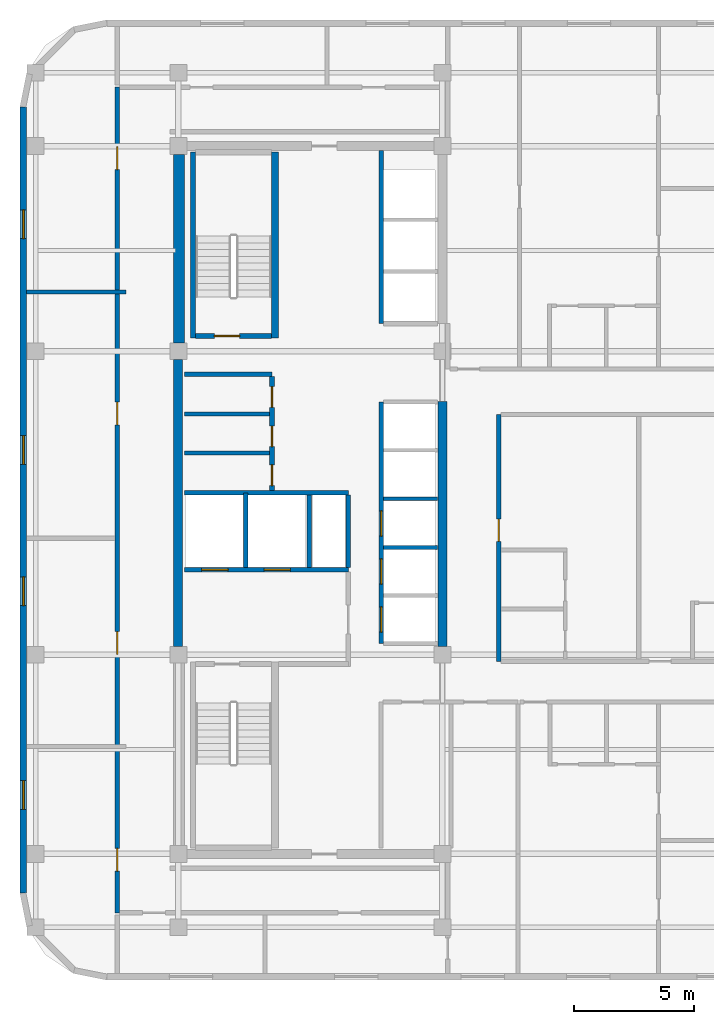
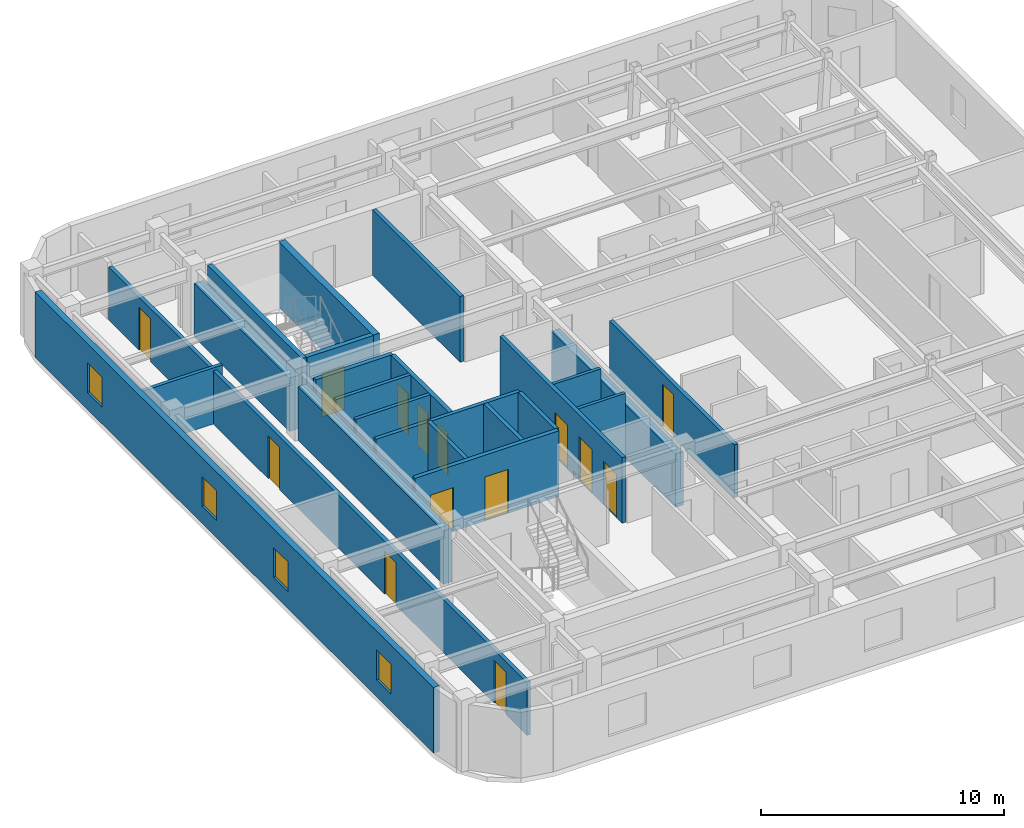
# One storey, part 4 of 8: 23 walls, 14 doors, 4 windows, 18 openings.
"""IFC4 building model written with IfcOpenShell, lengths in metres."""

from ifc_helpers import new_model, si_unit, direction, frame, frame_2d, origin, place, context, subcontext, project, spatial, rectangle, extrude, material, layer, layer_set, type_object, element, fill, save


model = new_model("IFC4")

# Units and contexts
model_context = context("Model", 3, precision=1e-05, world=origin(), true_north=direction((0.0, 1.0)))
body_context = subcontext(model_context, "Body", "Model", "MODEL_VIEW")
ifc_project = project(units=[si_unit("LENGTHUNIT", "METRE"), si_unit("AREAUNIT", "SQUARE_METRE"), si_unit("VOLUMEUNIT", "CUBIC_METRE"), si_unit("PLANEANGLEUNIT", "RADIAN"), si_unit("MASSUNIT", "GRAM", prefix="KILO")], contexts=[model_context])

# Site, building, storey
site_placement = place(None, origin())
site = spatial("IfcSite", under=ifc_project, at=site_placement, CompositionType="ELEMENT")
building_placement = place(site_placement, origin())
building = spatial("IfcBuilding", under=site, at=building_placement, Name="Ochreholt Gables", CompositionType="ELEMENT")
storey_placement = place(building_placement, frame((0.0, 0.0, 196.199951171875)))
storey = spatial("IfcBuildingStorey", under=building, at=storey_placement, Name="L51", CompositionType="ELEMENT", Elevation=196.199951171875)

# Walls
ifc_material_1 = material(Name="Concrete 50 MPa", Category="concrete")
ifc_layer_1 = layer(ifc_material_1, 0.3798828125, Name="Concrete 50 MPa")
ifc_layer_set_1 = layer_set([ifc_layer_1], Name="Concrete 50 MPa")
wall_type_1 = type_object("IfcWallType", Name="WALL-CSW-380", PredefinedType="SHEAR", material=ifc_layer_set_1)
wall_1_placement = place(storey_placement, frame((24.18994140625, 17.89990234375, 0.0), z_axis=(0.0, 0.0, 1.0), x_axis=(0.0, 1.0, 0.0)))
element("IfcWall", 1, at=wall_1_placement, inside=storey, type_object=wall_type_1, Name="L51 Core West Shear Wall WM", PredefinedType="SHEAR", context=body_context, shape_type="SweptSolid", body=[
    extrude(rectangle(XDim=11.9501953125, YDim=0.3798828125, at=frame_2d((5.97509765625, 0.0))), origin(), (0.0, 0.0, 1.0), 2.68798828125),
])
wall_2_placement = place(storey_placement, frame((35.2099609375, 17.89990234375, 0.0), z_axis=(0.0, 0.0, 1.0), x_axis=(0.0, 1.0, 0.0)))
element("IfcWall", 2, at=wall_2_placement, inside=storey, type_object=wall_type_1, Name="L51 Core Central-East Shear Wall", PredefinedType="SHEAR", context=body_context, shape_type="SweptSolid", body=[
    extrude(rectangle(XDim=10.2001953125, YDim=0.3798828125, at=frame_2d((5.10009765625, 0.0))), origin(), (0.0, 0.0, 1.0), 2.68798828125),
])
ifc_material_2 = material(Name="Concrete 60 MPa", Category="concrete")
ifc_layer_2 = layer(ifc_material_2, 0.449951171875, Name="Concrete 60 MPa")
ifc_layer_set_2 = layer_set([ifc_layer_2], Name="Concrete 60 MPa")
wall_type_2 = type_object("IfcWallType", Name="WALL-CSW-450", PredefinedType="SHEAR", material=ifc_layer_set_2)
wall_3_placement = place(storey_placement, frame((24.22509765625, 30.550048828125, 0.0), z_axis=(0.0, 0.0, 1.0), x_axis=(0.0, 1.0, 0.0)))
element("IfcWall", 3, at=wall_3_placement, inside=storey, type_object=wall_type_2, Name="L51 Core West Shear Wall WN", PredefinedType="SHEAR", context=body_context, shape_type="SweptSolid", body=[
    extrude(rectangle(XDim=7.849853515625, YDim=0.449951171875, at=frame_2d((3.9248046875, 0.0))), origin(), (0.0, 0.0, 1.0), 2.68798828125),
])

# Wall, openings, windows
ifc_material_3 = material(Name="Precast concrete 40 MPa", Category="concrete")
ifc_layer_3 = layer(ifc_material_3, 0.280029296875, Name="Precast concrete 40 MPa")
ifc_layer_set_3 = layer_set([ifc_layer_3], Name="Precast concrete 40 MPa")
wall_type_3 = type_object("IfcWallType", Name="WALL-EXT-280", PredefinedType="SOLIDWALL", material=ifc_layer_set_3)
wall_4_placement = place(storey_placement, frame((17.739990234375, 40.3798828125, 0.0), z_axis=(0.0, 0.0, 1.0), x_axis=(0.0, -1.0, 0.0)))
wall_4 = element("IfcWall", 4, at=wall_4_placement, inside=storey, type_object=wall_type_3, Name="L51 West Exterior Wall", PredefinedType="SOLIDWALL", context=body_context, shape_type="SweptSolid", body=[
    extrude(rectangle(XDim=32.759765625, YDim=0.280029296875, at=frame_2d((16.3798828125, 0.0))), origin(), (0.0, 0.0, 1.0), 3.300048828125),
])
opening_1_placement = place(wall_4_placement, frame((28.072509765625, 0.0, 0.85009765625)))
opening_1 = element("IfcOpeningElement", 5, at=opening_1_placement, cuts=wall_4, Name="Opening WN-3", PredefinedType="OPENING", context=body_context, shape_type="SweptSolid", body=[
    extrude(rectangle(XDim=1.199951171875, YDim=1.5, at=frame_2d((0.60009765625, 0.75))), frame((0.0, 0.14990234375, 0.0), z_axis=(0.0, -1.0, 0.0), x_axis=(1.0, 0.0, 0.0)), (0.0, 0.0, 1.0), 0.300048828125),
])
opening_2_placement = place(wall_4_placement, frame((19.5849609375, 0.0, 0.85009765625)))
opening_2 = element("IfcOpeningElement", 6, at=opening_2_placement, cuts=wall_4, Name="Opening WN-3", PredefinedType="OPENING", context=body_context, shape_type="SweptSolid", body=[
    extrude(rectangle(XDim=1.199951171875, YDim=1.5, at=frame_2d((0.60009765625, 0.75))), frame((0.0, 0.14990234375, 0.0), z_axis=(0.0, -1.0, 0.0), x_axis=(1.0, 0.0, 0.0)), (0.0, 0.0, 1.0), 0.300048828125),
])
opening_3_placement = place(wall_4_placement, frame((13.699951171875, 0.0, 0.85009765625)))
opening_3 = element("IfcOpeningElement", 7, at=opening_3_placement, cuts=wall_4, Name="Opening WN-3", PredefinedType="OPENING", context=body_context, shape_type="SweptSolid", body=[
    extrude(rectangle(XDim=1.199951171875, YDim=1.5, at=frame_2d((0.60009765625, 0.75))), frame((0.0, 0.14990234375, 0.0), z_axis=(0.0, -1.0, 0.0), x_axis=(1.0, 0.0, 0.0)), (0.0, 0.0, 1.0), 0.300048828125),
])
opening_4_placement = place(wall_4_placement, frame((4.28759765625, 0.0, 0.85009765625)))
opening_4 = element("IfcOpeningElement", 8, at=opening_4_placement, cuts=wall_4, Name="Opening WN-3", PredefinedType="OPENING", context=body_context, shape_type="SweptSolid", body=[
    extrude(rectangle(XDim=1.199951171875, YDim=1.5, at=frame_2d((0.60009765625, 0.75))), frame((0.0, 0.14990234375, 0.0), z_axis=(0.0, -1.0, 0.0), x_axis=(1.0, 0.0, 0.0)), (0.0, 0.0, 1.0), 0.300048828125),
])
ifc_material_4 = material(Name="Triple-Glazed Thermally Broken Aluminium Window", Category="aluminium")
window_type = type_object("IfcWindowType", Name="WIN-RES-1200", PartitioningType="SINGLE_PANEL", PredefinedType="WINDOW", material=ifc_material_4)
window_1_placement = place(opening_1_placement, origin())
window_1 = element("IfcWindow", 9, at=window_1_placement, inside=storey, type_object=window_type, Name="L51 Window W-EXT-W-L51-1", OverallHeight=1.5, OverallWidth=1.199951171875, PartitioningType="SINGLE_PANEL", PredefinedType="WINDOW", context=body_context, shape_type="SweptSolid", body=[
    extrude(rectangle(XDim=1.199951171875, YDim=1.5, at=frame_2d((0.60009765625, 0.75))), frame((0.0, 0.030029296875, 0.0), z_axis=(0.0, -1.0, 0.0), x_axis=(1.0, 0.0, 0.0)), (0.0, 0.0, 1.0), 0.06005859375),
])
fill(opening_1, window_1)
window_2_placement = place(opening_2_placement, origin())
window_2 = element("IfcWindow", 10, at=window_2_placement, inside=storey, type_object=window_type, Name="L51 Window W-EXT-W-L51-2", OverallHeight=1.5, OverallWidth=1.199951171875, PartitioningType="SINGLE_PANEL", PredefinedType="WINDOW", context=body_context, shape_type="SweptSolid", body=[
    extrude(rectangle(XDim=1.199951171875, YDim=1.5, at=frame_2d((0.60009765625, 0.75))), frame((0.0, 0.030029296875, 0.0), z_axis=(0.0, -1.0, 0.0), x_axis=(1.0, 0.0, 0.0)), (0.0, 0.0, 1.0), 0.06005859375),
])
fill(opening_2, window_2)
window_3_placement = place(opening_3_placement, origin())
window_3 = element("IfcWindow", 11, at=window_3_placement, inside=storey, type_object=window_type, Name="L51 Window W-EXT-W-L51-3", OverallHeight=1.5, OverallWidth=1.199951171875, PartitioningType="SINGLE_PANEL", PredefinedType="WINDOW", context=body_context, shape_type="SweptSolid", body=[
    extrude(rectangle(XDim=1.199951171875, YDim=1.5, at=frame_2d((0.60009765625, 0.75))), frame((0.0, 0.030029296875, 0.0), z_axis=(0.0, -1.0, 0.0), x_axis=(1.0, 0.0, 0.0)), (0.0, 0.0, 1.0), 0.06005859375),
])
fill(opening_3, window_3)
window_4_placement = place(opening_4_placement, origin())
window_4 = element("IfcWindow", 12, at=window_4_placement, inside=storey, type_object=window_type, Name="L51 Window W-EXT-W-L51-4", OverallHeight=1.5, OverallWidth=1.199951171875, PartitioningType="SINGLE_PANEL", PredefinedType="WINDOW", context=body_context, shape_type="SweptSolid", body=[
    extrude(rectangle(XDim=1.199951171875, YDim=1.5, at=frame_2d((0.60009765625, 0.75))), frame((0.0, 0.030029296875, 0.0), z_axis=(0.0, -1.0, 0.0), x_axis=(1.0, 0.0, 0.0)), (0.0, 0.0, 1.0), 0.06005859375),
])
fill(opening_4, window_4)

# Wall, openings, doors
ifc_material_5 = material(Name="Concrete 40 MPa", Category="concrete")
ifc_layer_4 = layer(ifc_material_5, 0.199951171875, Name="Concrete 40 MPa")
ifc_layer_set_4 = layer_set([ifc_layer_4], Name="Concrete 40 MPa")
wall_type_4 = type_object("IfcWallType", Name="WALL-INT-CF200", PredefinedType="STANDARD", material=ifc_layer_set_4)
wall_5_placement = place(storey_placement, frame((24.449951171875, 21.090087890625, 0.0), z_axis=(0.0, 0.0, 1.0), x_axis=(1.0, 0.0, 0.0)))
wall_5 = element("IfcWall", 13, at=wall_5_placement, inside=storey, type_object=wall_type_4, Name="L51 Interior Wall WI-FFN-L51", PredefinedType="STANDARD", context=body_context, shape_type="SweptSolid", body=[
    extrude(rectangle(XDim=6.830078125, YDim=0.199951171875, at=frame_2d((3.4150390625, 0.0))), origin(), (0.0, 0.0, 1.0), 3.300048828125),
])
opening_5_placement = place(wall_5_placement, frame((0.719970703125, 0.0, 0.0)))
opening_5 = element("IfcOpeningElement", 14, at=opening_5_placement, cuts=wall_5, Name="Opening LD-FF", PredefinedType="OPENING", context=body_context, shape_type="SweptSolid", body=[
    extrude(rectangle(XDim=1.10009765625, YDim=2.199951171875, at=frame_2d((0.550048828125, 1.10009765625))), frame((0.0, 0.10986328125, 0.0), z_axis=(0.0, -1.0, 0.0), x_axis=(1.0, 0.0, 0.0)), (0.0, 0.0, 1.0), 0.219970703125),
])
opening_6_placement = place(wall_5_placement, frame((3.320068359375, 0.0, 0.0)))
opening_6 = element("IfcOpeningElement", 15, at=opening_6_placement, cuts=wall_5, Name="Opening LD-FF", PredefinedType="OPENING", context=body_context, shape_type="SweptSolid", body=[
    extrude(rectangle(XDim=1.10009765625, YDim=2.199951171875, at=frame_2d((0.550048828125, 1.10009765625))), frame((0.0, 0.10986328125, 0.0), z_axis=(0.0, -1.0, 0.0), x_axis=(1.0, 0.0, 0.0)), (0.0, 0.0, 1.0), 0.219970703125),
])
ifc_material_6 = material(Name="Stainless Steel", Category="steel")
door_type_1 = type_object("IfcDoorType", Name="DR-LFT-FF1100", OperationType="NOTDEFINED", PredefinedType="DOOR", material=ifc_material_6)
door_1_placement = place(opening_5_placement, origin())
door_1 = element("IfcDoor", 16, at=door_1_placement, inside=storey, type_object=door_type_1, Name="L51 Door LD-FF1-L51", OperationType="SLIDING_TO_LEFT", OverallHeight=2.199951171875, OverallWidth=1.10009765625, PredefinedType="DOOR", context=body_context, shape_type="SweptSolid", body=[
    extrude(rectangle(XDim=1.10009765625, YDim=2.199951171875, at=frame_2d((0.550048828125, 1.10009765625))), frame((0.0, 0.02490234375, 0.0), z_axis=(0.0, -1.0, 0.0), x_axis=(1.0, 0.0, 0.0)), (0.0, 0.0, 1.0), 0.050048828125),
])
fill(opening_5, door_1)
door_2_placement = place(opening_6_placement, origin())
door_2 = element("IfcDoor", 17, at=door_2_placement, inside=storey, type_object=door_type_1, Name="L51 Door LD-FF2-L51", OperationType="SLIDING_TO_LEFT", OverallHeight=2.199951171875, OverallWidth=1.10009765625, PredefinedType="DOOR", context=body_context, shape_type="SweptSolid", body=[
    extrude(rectangle(XDim=1.10009765625, YDim=2.199951171875, at=frame_2d((0.550048828125, 1.10009765625))), frame((0.0, 0.02490234375, 0.0), z_axis=(0.0, -1.0, 0.0), x_axis=(1.0, 0.0, 0.0)), (0.0, 0.0, 1.0), 0.050048828125),
])
fill(opening_6, door_2)

# Wall
wall_6_placement = place(storey_placement, frame((24.449951171875, 29.239990234375, 0.0), z_axis=(0.0, 0.0, 1.0), x_axis=(1.0, 0.0, 0.0)))
element("IfcWall", 18, at=wall_6_placement, inside=storey, type_object=wall_type_4, Name="L51 Interior Wall WI-SRVN-L51", PredefinedType="STANDARD", context=body_context, shape_type="SweptSolid", body=[
    extrude(rectangle(XDim=3.650146484375, YDim=0.199951171875, at=frame_2d((1.8251953125, 0.0))), origin(), (0.0, 0.0, 1.0), 3.300048828125),
])

# Wall, openings, doors
wall_7_placement = place(storey_placement, frame((28.10009765625, 24.389892578125, 0.0), z_axis=(0.0, 0.0, 1.0), x_axis=(0.0, 1.0, 0.0)))
wall_7 = element("IfcWall", 19, at=wall_7_placement, inside=storey, type_object=wall_type_4, Name="L51 Interior Wall WI-SRVE-L51", PredefinedType="STANDARD", context=body_context, shape_type="SweptSolid", body=[
    extrude(rectangle(XDim=4.75, YDim=0.199951171875, at=frame_2d((2.375, 0.0))), origin(), (0.0, 0.0, 1.0), 3.300048828125),
])
opening_7_placement = place(wall_7_placement, frame((0.2099609375, 0.0, 0.0)))
opening_7 = element("IfcOpeningElement", 20, at=opening_7_placement, cuts=wall_7, Name="Opening D-SV2", PredefinedType="OPENING", context=body_context, shape_type="SweptSolid", body=[
    extrude(rectangle(XDim=0.860107421875, YDim=2.10009765625, at=frame_2d((0.43017578125, 1.050048828125))), frame((0.0, 0.10986328125, 0.0), z_axis=(0.0, -1.0, 0.0), x_axis=(1.0, 0.0, 0.0)), (0.0, 0.0, 1.0), 0.219970703125),
])
opening_8_placement = place(wall_7_placement, frame((1.830078125, 0.0, 0.0)))
opening_8 = element("IfcOpeningElement", 21, at=opening_8_placement, cuts=wall_7, Name="Opening D-SV2", PredefinedType="OPENING", context=body_context, shape_type="SweptSolid", body=[
    extrude(rectangle(XDim=0.860107421875, YDim=2.10009765625, at=frame_2d((0.43017578125, 1.050048828125))), frame((0.0, 0.10986328125, 0.0), z_axis=(0.0, -1.0, 0.0), x_axis=(1.0, 0.0, 0.0)), (0.0, 0.0, 1.0), 0.219970703125),
])
opening_9_placement = place(wall_7_placement, frame((3.469970703125, 0.0, 0.0)))
opening_9 = element("IfcOpeningElement", 22, at=opening_9_placement, cuts=wall_7, Name="Opening D-SV2", PredefinedType="OPENING", context=body_context, shape_type="SweptSolid", body=[
    extrude(rectangle(XDim=0.860107421875, YDim=2.10009765625, at=frame_2d((0.43017578125, 1.050048828125))), frame((0.0, 0.10986328125, 0.0), z_axis=(0.0, -1.0, 0.0), x_axis=(1.0, 0.0, 0.0)), (0.0, 0.0, 1.0), 0.219970703125),
])
ifc_material_7 = material(Name="Hollow Metal Steel", Category="steel")
door_type_2 = type_object("IfcDoorType", Name="DR-INT-SRV860", OperationType="NOTDEFINED", PredefinedType="DOOR", material=ifc_material_7)
door_3_placement = place(opening_7_placement, origin())
door_3 = element("IfcDoor", 23, at=door_3_placement, inside=storey, type_object=door_type_2, Name="L51 Door D-SRV1-L51", OperationType="SINGLE_SWING_LEFT", OverallHeight=2.10009765625, OverallWidth=0.860107421875, PredefinedType="DOOR", context=body_context, shape_type="SweptSolid", body=[
    extrude(rectangle(XDim=0.860107421875, YDim=2.10009765625, at=frame_2d((0.43017578125, 1.050048828125))), frame((0.0, 0.02490234375, 0.0), z_axis=(0.0, -1.0, 0.0), x_axis=(1.0, 0.0, 0.0)), (0.0, 0.0, 1.0), 0.050048828125),
])
fill(opening_7, door_3)
door_4_placement = place(opening_8_placement, origin())
door_4 = element("IfcDoor", 24, at=door_4_placement, inside=storey, type_object=door_type_2, Name="L51 Door D-SRV2-L51", OperationType="SINGLE_SWING_RIGHT", OverallHeight=2.10009765625, OverallWidth=0.860107421875, PredefinedType="DOOR", context=body_context, shape_type="SweptSolid", body=[
    extrude(rectangle(XDim=0.860107421875, YDim=2.10009765625, at=frame_2d((0.43017578125, 1.050048828125))), frame((0.0, 0.02490234375, 0.0), z_axis=(0.0, -1.0, 0.0), x_axis=(1.0, 0.0, 0.0)), (0.0, 0.0, 1.0), 0.050048828125),
])
fill(opening_8, door_4)
door_5_placement = place(opening_9_placement, origin())
door_5 = element("IfcDoor", 25, at=door_5_placement, inside=storey, type_object=door_type_2, Name="L51 Door D-SRV3-L51", OperationType="SINGLE_SWING_LEFT", OverallHeight=2.10009765625, OverallWidth=0.860107421875, PredefinedType="DOOR", context=body_context, shape_type="SweptSolid", body=[
    extrude(rectangle(XDim=0.860107421875, YDim=2.10009765625, at=frame_2d((0.43017578125, 1.050048828125))), frame((0.0, 0.02490234375, 0.0), z_axis=(0.0, -1.0, 0.0), x_axis=(1.0, 0.0, 0.0)), (0.0, 0.0, 1.0), 0.050048828125),
])
fill(opening_9, door_5)

# Wall, opening, door
ifc_material_8 = material(Name="Fire-Rated Gypsum Acoustic Partition", Category="gypsum")
ifc_layer_5 = layer(ifc_material_8, 0.179931640625, Name="Fire-Rated Gypsum Acoustic Partition")
ifc_layer_set_5 = layer_set([ifc_layer_5], Name="Fire-Rated Gypsum Acoustic Partition")
wall_type_5 = type_object("IfcWallType", Name="WALL-INT-CR180", PredefinedType="STANDARD", material=ifc_layer_set_5)
wall_8_placement = place(storey_placement, frame((37.550048828125, 17.280029296875, 0.0), z_axis=(0.0, 0.0, 1.0), x_axis=(0.0, 1.0, 0.0)))
wall_8 = element("IfcWall", 26, at=wall_8_placement, inside=storey, type_object=wall_type_5, Name="L51 Interior Wall WI-C2EM-L51", PredefinedType="STANDARD", context=body_context, shape_type="SweptSolid", body=[
    extrude(rectangle(XDim=10.280029296875, YDim=0.179931640625, at=frame_2d((5.14013671875, 0.0))), origin(), (0.0, 0.0, 1.0), 2.670166015625),
])
opening_10_placement = place(wall_8_placement, frame((5.0, 0.0, 0.0)))
opening_10 = element("IfcOpeningElement", 27, at=opening_10_placement, cuts=wall_8, Name="Opening D-UN1", PredefinedType="OPENING", context=body_context, shape_type="SweptSolid", body=[
    extrude(rectangle(XDim=0.919921875, YDim=2.14990234375, at=frame_2d((0.4599609375, 1.074951171875))), frame((0.0, 0.099853515625, 0.0), z_axis=(0.0, -1.0, 0.0), x_axis=(1.0, 0.0, 0.0)), (0.0, 0.0, 1.0), 0.199951171875),
])
ifc_material_9 = material(Name="Engineered Oak Timber", Category="wood")
door_type_3 = type_object("IfcDoorType", Name="DR-INT-UNT920", OperationType="NOTDEFINED", PredefinedType="DOOR", material=ifc_material_9)
door_6_placement = place(opening_10_placement, origin())
door_6 = element("IfcDoor", 28, at=door_6_placement, inside=storey, type_object=door_type_3, Name="L51 Door D-U-L51M1-ENT", OperationType="SINGLE_SWING_RIGHT", OverallHeight=2.14990234375, OverallWidth=0.919921875, PredefinedType="DOOR", context=body_context, shape_type="SweptSolid", body=[
    extrude(rectangle(XDim=0.919921875, YDim=2.14990234375, at=frame_2d((0.4599609375, 1.074951171875))), frame((0.0, 0.02490234375, 0.0), z_axis=(0.0, -1.0, 0.0), x_axis=(1.0, 0.0, 0.0)), (0.0, 0.0, 1.0), 0.050048828125),
])
fill(opening_10, door_6)

# Wall, openings, doors
wall_9_placement = place(storey_placement, frame((21.64990234375, 6.800048828125, 0.0), z_axis=(0.0, 0.0, 1.0), x_axis=(0.0, 1.0, 0.0)))
wall_9 = element("IfcWall", 29, at=wall_9_placement, inside=storey, type_object=wall_type_5, Name="L51 Interior Wall WI-C2WCW-L51", PredefinedType="STANDARD", context=body_context, shape_type="SweptSolid", body=[
    extrude(rectangle(XDim=34.39990234375, YDim=0.179931640625, at=frame_2d((17.199951171875, 0.0))), origin(), (0.0, 0.0, 1.0), 2.670166015625),
])
opening_11_placement = place(wall_9_placement, frame((1.732421875, 0.0, 0.0)))
opening_11 = element("IfcOpeningElement", 30, at=opening_11_placement, cuts=wall_9, Name="Opening D-GN1", PredefinedType="OPENING", context=body_context, shape_type="SweptSolid", body=[
    extrude(rectangle(XDim=0.949951171875, YDim=2.14990234375, at=frame_2d((0.47509765625, 1.074951171875))), frame((0.0, 0.099853515625, 0.0), z_axis=(0.0, -1.0, 0.0), x_axis=(1.0, 0.0, 0.0)), (0.0, 0.0, 1.0), 0.199951171875),
])
opening_12_placement = place(wall_9_placement, frame((10.767578125, 0.0, 0.0)))
opening_12 = element("IfcOpeningElement", 31, at=opening_12_placement, cuts=wall_9, Name="Opening D-GN1", PredefinedType="OPENING", context=body_context, shape_type="SweptSolid", body=[
    extrude(rectangle(XDim=0.949951171875, YDim=2.14990234375, at=frame_2d((0.47509765625, 1.074951171875))), frame((0.0, 0.099853515625, 0.0), z_axis=(0.0, -1.0, 0.0), x_axis=(1.0, 0.0, 0.0)), (0.0, 0.0, 1.0), 0.199951171875),
])
opening_13_placement = place(wall_9_placement, frame((20.33251953125, 0.0, 0.0)))
opening_13 = element("IfcOpeningElement", 32, at=opening_13_placement, cuts=wall_9, Name="Opening D-GN1", PredefinedType="OPENING", context=body_context, shape_type="SweptSolid", body=[
    extrude(rectangle(XDim=0.949951171875, YDim=2.14990234375, at=frame_2d((0.47509765625, 1.074951171875))), frame((0.0, 0.099853515625, 0.0), z_axis=(0.0, -1.0, 0.0), x_axis=(1.0, 0.0, 0.0)), (0.0, 0.0, 1.0), 0.199951171875),
])
opening_14_placement = place(wall_9_placement, frame((30.967529296875, 0.0, 0.0)))
opening_14 = element("IfcOpeningElement", 33, at=opening_14_placement, cuts=wall_9, Name="Opening D-GN1", PredefinedType="OPENING", context=body_context, shape_type="SweptSolid", body=[
    extrude(rectangle(XDim=0.949951171875, YDim=2.14990234375, at=frame_2d((0.47509765625, 1.074951171875))), frame((0.0, 0.099853515625, 0.0), z_axis=(0.0, -1.0, 0.0), x_axis=(1.0, 0.0, 0.0)), (0.0, 0.0, 1.0), 0.199951171875),
])
door_type_4 = type_object("IfcDoorType", Name="DR-INT-GEN950", OperationType="NOTDEFINED", PredefinedType="DOOR", material=ifc_material_9)
door_7_placement = place(opening_11_placement, origin())
door_7 = element("IfcDoor", 34, at=door_7_placement, inside=storey, type_object=door_type_4, Name="L51 Door D-U-L51W1A-ENT", OperationType="SINGLE_SWING_LEFT", OverallHeight=2.14990234375, OverallWidth=0.949951171875, PredefinedType="DOOR", context=body_context, shape_type="SweptSolid", body=[
    extrude(rectangle(XDim=0.949951171875, YDim=2.14990234375, at=frame_2d((0.47509765625, 1.074951171875))), frame((0.0, 0.02490234375, 0.0), z_axis=(0.0, -1.0, 0.0), x_axis=(1.0, 0.0, 0.0)), (0.0, 0.0, 1.0), 0.050048828125),
])
fill(opening_11, door_7)
door_8_placement = place(opening_12_placement, origin())
door_8 = element("IfcDoor", 35, at=door_8_placement, inside=storey, type_object=door_type_4, Name="L51 Door D-U-L51W1B-ENT", OperationType="SINGLE_SWING_RIGHT", OverallHeight=2.14990234375, OverallWidth=0.949951171875, PredefinedType="DOOR", context=body_context, shape_type="SweptSolid", body=[
    extrude(rectangle(XDim=0.949951171875, YDim=2.14990234375, at=frame_2d((0.47509765625, 1.074951171875))), frame((0.0, 0.02490234375, 0.0), z_axis=(0.0, -1.0, 0.0), x_axis=(1.0, 0.0, 0.0)), (0.0, 0.0, 1.0), 0.050048828125),
])
fill(opening_12, door_8)
door_9_placement = place(opening_13_placement, origin())
door_9 = element("IfcDoor", 36, at=door_9_placement, inside=storey, type_object=door_type_4, Name="L51 Door D-U-L51W2A-ENT", OperationType="SINGLE_SWING_RIGHT", OverallHeight=2.14990234375, OverallWidth=0.949951171875, PredefinedType="DOOR", context=body_context, shape_type="SweptSolid", body=[
    extrude(rectangle(XDim=0.949951171875, YDim=2.14990234375, at=frame_2d((0.47509765625, 1.074951171875))), frame((0.0, 0.02490234375, 0.0), z_axis=(0.0, -1.0, 0.0), x_axis=(1.0, 0.0, 0.0)), (0.0, 0.0, 1.0), 0.050048828125),
])
fill(opening_13, door_9)
door_10_placement = place(opening_14_placement, origin())
door_10 = element("IfcDoor", 37, at=door_10_placement, inside=storey, type_object=door_type_4, Name="L51 Door D-U-L51W2B-ENT", OperationType="SINGLE_SWING_LEFT", OverallHeight=2.14990234375, OverallWidth=0.949951171875, PredefinedType="DOOR", context=body_context, shape_type="SweptSolid", body=[
    extrude(rectangle(XDim=0.949951171875, YDim=2.14990234375, at=frame_2d((0.47509765625, 1.074951171875))), frame((0.0, 0.02490234375, 0.0), z_axis=(0.0, -1.0, 0.0), x_axis=(1.0, 0.0, 0.0)), (0.0, 0.0, 1.0), 0.050048828125),
])
fill(opening_14, door_10)

# Walls
ifc_material_10 = material(Name="Gypsum Acoustic Stud Partition", Category="gypsum")
ifc_layer_6 = layer(ifc_material_10, 0.1650390625, Name="Gypsum Acoustic Stud Partition")
ifc_layer_set_6 = layer_set([ifc_layer_6], Name="Gypsum Acoustic Stud Partition")
wall_type_6 = type_object("IfcWallType", Name="WALL-INT-PT165", PredefinedType="PARTITIONING", material=ifc_layer_set_6)
for number, where, z_axis, x_axis, name in (
    (38, (24.449951171875, 25.949951171875, 0.0), (0.0, 0.0, 1.0), (1.0, 0.0, 0.0), "L51 Interior Wall WI-SRVP1-L51"),
    (39, (24.449951171875, 27.580078125, 0.0), (0.0, 0.0, 1.0), (1.0, 0.0, 0.0), "L51 Interior Wall WI-SRVP2-L51"),
):
    element("IfcWall", number, at=place(storey_placement, frame(where, z_axis=z_axis, x_axis=x_axis)), inside=storey, type_object=wall_type_6, Name=name, PredefinedType="PARTITIONING", context=body_context, shape_type="SweptSolid", body=[
        extrude(rectangle(XDim=3.550048828125, YDim=0.1650390625, at=frame_2d((1.77490234375, 0.0))), origin(), (0.0, 0.0, 1.0), 3.300048828125),
    ])
wall_10_placement = place(storey_placement, frame((17.8798828125, 32.675048828125, 0.0), z_axis=(0.0, 0.0, 1.0), x_axis=(1.0, 0.0, 0.0)))
element("IfcWall", 40, at=wall_10_placement, inside=storey, type_object=wall_type_6, Name="L51 Interior Wall WU-L51W2-SDV", PredefinedType="PARTITIONING", context=body_context, shape_type="SweptSolid", body=[
    extrude(rectangle(XDim=4.130126953125, YDim=0.1650390625, at=frame_2d((2.06494140625, 0.0))), origin(), (0.0, 0.0, 1.0), 2.819091796875),
])
ifc_material_11 = material(Name="Gypsum Shaftliner and Steel Stud", Category="steel")
ifc_layer_7 = layer(ifc_material_11, 0.14990234375, Name="Gypsum Shaftliner and Steel Stud")
ifc_layer_set_7 = layer_set([ifc_layer_7], Name="Gypsum Shaftliner and Steel Stud")
wall_type_7 = type_object("IfcWallType", Name="WALL-INT-SH150", PredefinedType="STANDARD", material=ifc_layer_set_7)
for number, where, z_axis, x_axis, name in (
    (41, (32.739990234375, 22.02001953125, 0.0), (0.0, 0.0, 1.0), (1.0, 0.0, 0.0), "L51 Interior Wall WI-LFHE-DH2-L51"),
    (42, (32.739990234375, 24.050048828125, 0.0), (0.0, 0.0, 1.0), (1.0, 0.0, 0.0), "L51 Interior Wall WI-LFHE-DHE-L51"),
):
    element("IfcWall", number, at=place(storey_placement, frame(where, z_axis=z_axis, x_axis=x_axis)), inside=storey, type_object=wall_type_7, Name=name, PredefinedType="STANDARD", context=body_context, shape_type="SweptSolid", body=[
        extrude(rectangle(XDim=2.260009765625, YDim=0.14990234375, at=frame_2d((1.1298828125, 0.0))), origin(), (0.0, 0.0, 1.0), 3.300048828125),
    ])
ifc_layer_8 = layer(ifc_material_11, 0.179931640625, Name="Gypsum Shaftliner and Steel Stud")
ifc_layer_set_8 = layer_set([ifc_layer_8], Name="Gypsum Shaftliner and Steel Stud")
wall_type_8 = type_object("IfcWallType", Name="WALL-INT-SH180", PredefinedType="STANDARD", material=ifc_layer_set_8)
wall_11_placement = place(storey_placement, frame((27.0, 21.18994140625, 0.0), z_axis=(0.0, 0.0, 1.0), x_axis=(0.0, 1.0, 0.0)))
element("IfcWall", 43, at=wall_11_placement, inside=storey, type_object=wall_type_8, Name="L51 Interior Wall WI-FFDIV-L51", PredefinedType="STANDARD", context=body_context, shape_type="SweptSolid", body=[
    extrude(rectangle(XDim=3.110107421875, YDim=0.179931640625, at=frame_2d((1.55517578125, 0.0))), origin(), (0.0, 0.0, 1.0), 3.300048828125),
])
wall_12_placement = place(storey_placement, frame((24.449951171875, 24.300048828125, 0.0), z_axis=(0.0, 0.0, 1.0), x_axis=(1.0, 0.0, 0.0)))
element("IfcWall", 44, at=wall_12_placement, inside=storey, type_object=wall_type_8, Name="L51 Interior Wall WI-FFBK-L51", PredefinedType="STANDARD", context=body_context, shape_type="SweptSolid", body=[
    extrude(rectangle(XDim=6.830078125, YDim=0.179931640625, at=frame_2d((3.4150390625, 0.0))), origin(), (0.0, 0.0, 1.0), 3.300048828125),
])
for number, where, z_axis, x_axis, name in (
    (45, (29.64990234375, 21.18994140625, 0.0), (0.0, 0.0, 1.0), (0.0, 1.0, 0.0), "L51 Interior Wall WI-FFSH-L51"),
    (46, (31.280029296875, 21.18994140625, 0.0), (0.0, 0.0, 1.0), (0.0, 1.0, 0.0), "L51 Interior Wall WI-RSE-L51"),
):
    element("IfcWall", number, at=place(storey_placement, frame(where, z_axis=z_axis, x_axis=x_axis)), inside=storey, type_object=wall_type_8, Name=name, PredefinedType="STANDARD", context=body_context, shape_type="SweptSolid", body=[
        extrude(rectangle(XDim=3.02001953125, YDim=0.179931640625, at=frame_2d((1.510009765625, 0.0))), origin(), (0.0, 0.0, 1.0), 3.300048828125),
    ])

# Wall, openings, doors
wall_13_placement = place(storey_placement, frame((32.64990234375, 18.02001953125, 0.0), z_axis=(0.0, 0.0, 1.0), x_axis=(0.0, 1.0, 0.0)))
wall_13 = element("IfcWall", 47, at=wall_13_placement, inside=storey, type_object=wall_type_8, Name="L51 Interior Wall WI-LFHE-FR-L51", PredefinedType="STANDARD", context=body_context, shape_type="SweptSolid", body=[
    extrude(rectangle(XDim=10.06005859375, YDim=0.179931640625, at=frame_2d((5.030029296875, 0.0))), origin(), (0.0, 0.0, 1.0), 3.300048828125),
])
opening_15_placement = place(wall_13_placement, frame((0.47998046875, 0.0, 0.0)))
opening_15 = element("IfcOpeningElement", 48, at=opening_15_placement, cuts=wall_13, Name="Opening LD-PX", PredefinedType="OPENING", context=body_context, shape_type="SweptSolid", body=[
    extrude(rectangle(XDim=1.050048828125, YDim=2.199951171875, at=frame_2d((0.52490234375, 1.10009765625))), frame((0.0, 0.099853515625, 0.0), z_axis=(0.0, -1.0, 0.0), x_axis=(1.0, 0.0, 0.0)), (0.0, 0.0, 1.0), 0.199951171875),
])
opening_16_placement = place(wall_13_placement, frame((2.47998046875, 0.0, 0.0)))
opening_16 = element("IfcOpeningElement", 49, at=opening_16_placement, cuts=wall_13, Name="Opening LD-PX", PredefinedType="OPENING", context=body_context, shape_type="SweptSolid", body=[
    extrude(rectangle(XDim=1.050048828125, YDim=2.199951171875, at=frame_2d((0.52490234375, 1.10009765625))), frame((0.0, 0.099853515625, 0.0), z_axis=(0.0, -1.0, 0.0), x_axis=(1.0, 0.0, 0.0)), (0.0, 0.0, 1.0), 0.199951171875),
])
opening_17_placement = place(wall_13_placement, frame((4.47998046875, 0.0, 0.0)))
opening_17 = element("IfcOpeningElement", 50, at=opening_17_placement, cuts=wall_13, Name="Opening LD-PX", PredefinedType="OPENING", context=body_context, shape_type="SweptSolid", body=[
    extrude(rectangle(XDim=1.050048828125, YDim=2.199951171875, at=frame_2d((0.52490234375, 1.10009765625))), frame((0.0, 0.099853515625, 0.0), z_axis=(0.0, -1.0, 0.0), x_axis=(1.0, 0.0, 0.0)), (0.0, 0.0, 1.0), 0.199951171875),
])
door_type_5 = type_object("IfcDoorType", Name="DR-LFT-PX1050", OperationType="NOTDEFINED", PredefinedType="DOOR", material=ifc_material_6)
door_11_placement = place(opening_15_placement, origin())
door_11 = element("IfcDoor", 51, at=door_11_placement, inside=storey, type_object=door_type_5, Name="L51 Door LD-LF-H1-L51", OperationType="SLIDING_TO_LEFT", OverallHeight=2.199951171875, OverallWidth=1.050048828125, PredefinedType="DOOR", context=body_context, shape_type="SweptSolid", body=[
    extrude(rectangle(XDim=1.050048828125, YDim=2.199951171875, at=frame_2d((0.52490234375, 1.10009765625))), frame((0.0, 0.02490234375, 0.0), z_axis=(0.0, -1.0, 0.0), x_axis=(1.0, 0.0, 0.0)), (0.0, 0.0, 1.0), 0.050048828125),
])
fill(opening_15, door_11)
door_12_placement = place(opening_16_placement, origin())
door_12 = element("IfcDoor", 52, at=door_12_placement, inside=storey, type_object=door_type_5, Name="L51 Door LD-LF-H2-L51", OperationType="SLIDING_TO_LEFT", OverallHeight=2.199951171875, OverallWidth=1.050048828125, PredefinedType="DOOR", context=body_context, shape_type="SweptSolid", body=[
    extrude(rectangle(XDim=1.050048828125, YDim=2.199951171875, at=frame_2d((0.52490234375, 1.10009765625))), frame((0.0, 0.02490234375, 0.0), z_axis=(0.0, -1.0, 0.0), x_axis=(1.0, 0.0, 0.0)), (0.0, 0.0, 1.0), 0.050048828125),
])
fill(opening_16, door_12)
door_13_placement = place(opening_17_placement, origin())
door_13 = element("IfcDoor", 53, at=door_13_placement, inside=storey, type_object=door_type_5, Name="L51 Door LD-LF-H3-L51", OperationType="SLIDING_TO_LEFT", OverallHeight=2.199951171875, OverallWidth=1.050048828125, PredefinedType="DOOR", context=body_context, shape_type="SweptSolid", body=[
    extrude(rectangle(XDim=1.050048828125, YDim=2.199951171875, at=frame_2d((0.52490234375, 1.10009765625))), frame((0.0, 0.02490234375, 0.0), z_axis=(0.0, -1.0, 0.0), x_axis=(1.0, 0.0, 0.0)), (0.0, 0.0, 1.0), 0.050048828125),
])
fill(opening_17, door_13)

# Walls
wall_14_placement = place(storey_placement, frame((32.64990234375, 31.35009765625, 0.0), z_axis=(0.0, 0.0, 1.0), x_axis=(0.0, 1.0, 0.0)))
element("IfcWall", 54, at=wall_14_placement, inside=storey, type_object=wall_type_8, Name="L51 Interior Wall WI-LFM-FR-L51", PredefinedType="STANDARD", context=body_context, shape_type="SweptSolid", body=[
    extrude(rectangle(XDim=7.2099609375, YDim=0.179931640625, at=frame_2d((3.60498046875, 0.0))), origin(), (0.0, 0.0, 1.0), 3.300048828125),
])
ifc_layer_9 = layer(ifc_material_2, 0.300048828125, Name="Concrete 60 MPa")
ifc_layer_set_9 = layer_set([ifc_layer_9], Name="Concrete 60 MPa")
wall_type_9 = type_object("IfcWallType", Name="WALL-SPN-300", PredefinedType="SHEAR", material=ifc_layer_set_9)
wall_15_placement = place(storey_placement, frame((28.22998046875, 30.739990234375, 0.0), z_axis=(0.0, 0.0, 1.0), x_axis=(0.0, 1.0, 0.0)))
element("IfcWall", 55, at=wall_15_placement, inside=storey, type_object=wall_type_9, Name="L51 Core North Spine Shear Wall", PredefinedType="SHEAR", context=body_context, shape_type="SweptSolid", body=[
    extrude(rectangle(XDim=7.760009765625, YDim=0.300048828125, at=frame_2d((3.8798828125, 0.0))), origin(), (0.0, 0.0, 1.0), 3.300048828125),
])
ifc_layer_10 = layer(ifc_material_1, 0.219970703125, Name="Concrete 50 MPa")
ifc_layer_set_10 = layer_set([ifc_layer_10], Name="Concrete 50 MPa")
wall_type_10 = type_object("IfcWallType", Name="WALL-STW-220", PredefinedType="SHEAR", material=ifc_layer_set_10)
wall_16_placement = place(storey_placement, frame((24.81005859375, 30.739990234375, 0.0), z_axis=(0.0, 0.0, 1.0), x_axis=(0.0, 1.0, 0.0)))
element("IfcWall", 56, at=wall_16_placement, inside=storey, type_object=wall_type_10, Name="L51 Exit Stair 2 West Wall", PredefinedType="SHEAR", context=body_context, shape_type="SweptSolid", body=[
    extrude(rectangle(XDim=7.760009765625, YDim=0.219970703125, at=frame_2d((3.8798828125, 0.0))), origin(), (0.0, 0.0, 1.0), 3.300048828125),
])

# Wall, opening, door
wall_17_placement = place(storey_placement, frame((24.919921875, 30.830078125, 0.0), z_axis=(0.0, 0.0, 1.0), x_axis=(1.0, 0.0, 0.0)))
wall_17 = element("IfcWall", 57, at=wall_17_placement, inside=storey, type_object=wall_type_10, Name="L51 Exit Stair 2 South Wall", PredefinedType="SHEAR", context=body_context, shape_type="SweptSolid", body=[
    extrude(rectangle(XDim=3.16015625, YDim=0.219970703125, at=frame_2d((1.580078125, 0.0))), origin(), (0.0, 0.0, 1.0), 3.300048828125),
])
opening_18_placement = place(wall_17_placement, frame((0.780029296875, 0.0, 0.0)))
opening_18 = element("IfcOpeningElement", 58, at=opening_18_placement, cuts=wall_17, Name="Opening D-STC", PredefinedType="OPENING", context=body_context, shape_type="SweptSolid", body=[
    extrude(rectangle(XDim=1.050048828125, YDim=2.14990234375, at=frame_2d((0.52490234375, 1.074951171875))), frame((0.0, 0.119873046875, 0.0), z_axis=(0.0, -1.0, 0.0), x_axis=(1.0, 0.0, 0.0)), (0.0, 0.0, 1.0), 0.239990234375),
])
door_type_6 = type_object("IfcDoorType", Name="DR-INT-ST1050", OperationType="NOTDEFINED", PredefinedType="DOOR", material=ifc_material_7)
door_14_placement = place(opening_18_placement, origin())
door_14 = element("IfcDoor", 59, at=door_14_placement, inside=storey, type_object=door_type_6, Name="L51 Door D-ST2-L51", OperationType="SINGLE_SWING_RIGHT", OverallHeight=2.14990234375, OverallWidth=1.050048828125, PredefinedType="DOOR", context=body_context, shape_type="SweptSolid", body=[
    extrude(rectangle(XDim=1.050048828125, YDim=2.14990234375, at=frame_2d((0.52490234375, 1.074951171875))), frame((0.0, 0.02490234375, 0.0), z_axis=(0.0, -1.0, 0.0), x_axis=(1.0, 0.0, 0.0)), (0.0, 0.0, 1.0), 0.050048828125),
])
fill(opening_18, door_14)

save(model, "model.ifc")
